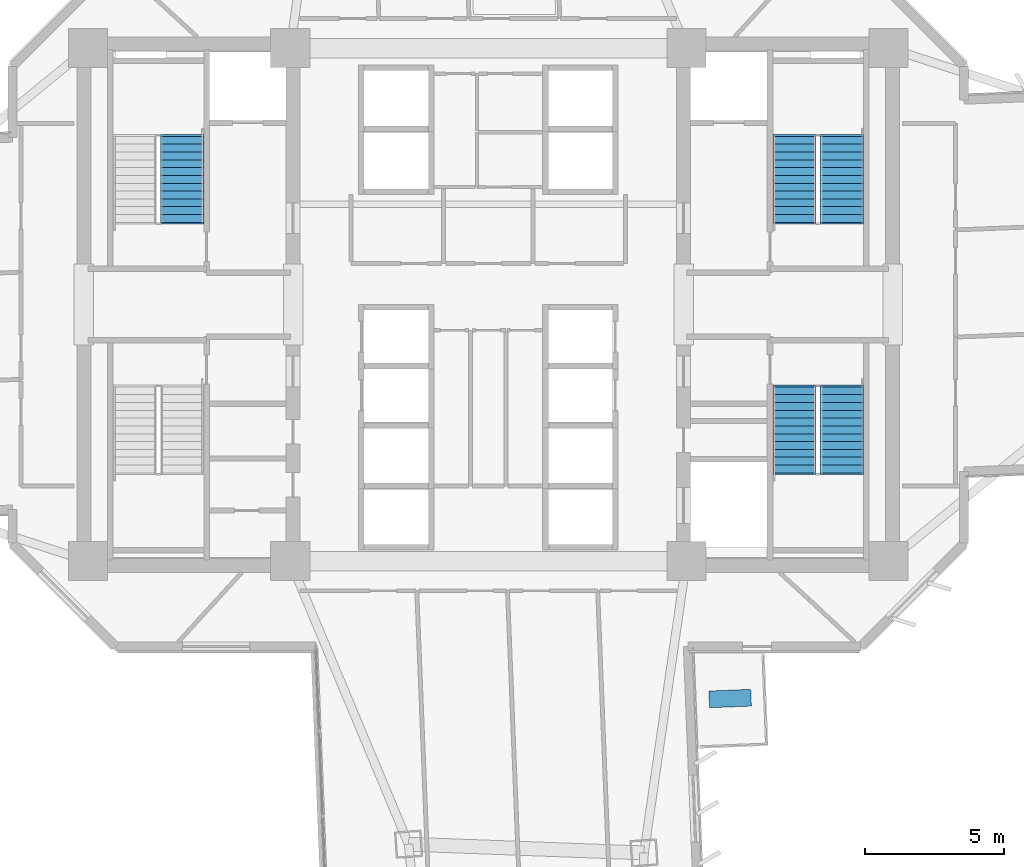
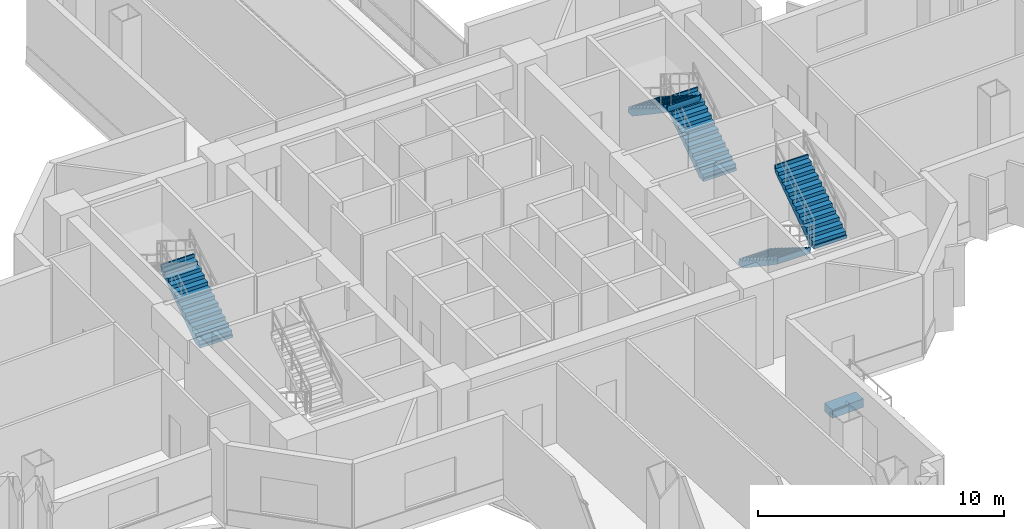
# One storey, part 11 of 16: 5 stair flights, 1 discrete accessory, 3 elements without a shape of their own.
"""IFC4 building model written with IfcOpenShell, lengths in metres."""

from ifc_helpers import new_model, si_unit, direction, frame, origin, origin_2d, place, context, subcontext, project, spatial, polyline, rectangle, outline, extrude, source, transform, mapped, material, type_object, element, aggregate, save


model = new_model("IFC4")

# Units and contexts
model_context = context("Model", 3, precision=1e-05, world=origin(), true_north=direction((0.0, 1.0)))
body_context = subcontext(model_context, "Body", "Model", "MODEL_VIEW")
ifc_project = project(units=[si_unit("LENGTHUNIT", "METRE"), si_unit("AREAUNIT", "SQUARE_METRE"), si_unit("VOLUMEUNIT", "CUBIC_METRE"), si_unit("PLANEANGLEUNIT", "RADIAN"), si_unit("MASSUNIT", "GRAM", prefix="KILO")], contexts=[model_context])

# Site, building, storey
site_placement = place(None, origin())
site = spatial("IfcSite", under=ifc_project, at=site_placement, CompositionType="ELEMENT")
building_placement = place(site_placement, origin())
building = spatial("IfcBuilding", under=site, at=building_placement, Name="Zahravan Cultural Tower", CompositionType="ELEMENT")
storey_placement = place(building_placement, frame((0.0, 0.0, 62.699951171875)))
storey = spatial("IfcBuildingStorey", under=building, at=storey_placement, Name="L13", CompositionType="ELEMENT", Elevation=62.699951171875)

# Stair, stair flight
ifc_material_1 = material(Name="Concrete C45/55", Category="concrete")
stair_type = type_object("IfcStairType", Name="STR-DL-1550-420", PredefinedType="HALF_TURN_STAIR", material=ifc_material_1)
stair_1_placement = place(storey_placement, origin())
stair_1 = element("IfcStair", 1, at=stair_1_placement, inside=storey, type_object=stair_type, Name="L13 West Core North Exit Stair ST-W1", PredefinedType="HALF_TURN_STAIR")
stair_flight_type = type_object("IfcStairFlightType", Name="FLG-DL-1550-420", PredefinedType="STRAIGHT", material=ifc_material_1)
stair_flight_1_placement = place(storey_placement, frame((25.02490234375, 29.949951171875, 0.0), z_axis=(0.0, 0.0, 1.0), x_axis=(0.0, 1.0, 0.0)))
stair_flight_1 = element("IfcStairFlight", 2, at=stair_flight_1_placement, type_object=stair_flight_type, Name="ST-W1 flight 1", NumberOfRisers=12, NumberOfTreads=11, PredefinedType="STRAIGHT", RiserHeight=0.175, TreadLength=0.28, context=body_context, shape_type="SweptSolid", body=[
    extrude(outline(polyline([(-0.06494140625, -0.139892578125), (-0.06494140625, 0.0), (0.0, 0.0), (0.0, 0.175048828125), (0.280029296875, 0.175048828125), (0.280029296875, 0.35009765625), (0.56005859375, 0.35009765625), (0.56005859375, 0.52490234375), (0.840087890625, 0.52490234375), (0.840087890625, 0.699951171875), (1.1201171875, 0.699951171875), (1.1201171875, 0.875), (1.39990234375, 0.875), (1.39990234375, 1.050048828125), (1.679931640625, 1.050048828125), (1.679931640625, 1.22509765625), (1.9599609375, 1.22509765625), (1.9599609375, 1.39990234375), (2.239990234375, 1.39990234375), (2.239990234375, 1.574951171875), (2.52001953125, 1.574951171875), (2.52001953125, 1.75), (2.800048828125, 1.75), (2.800048828125, 1.925048828125), (3.080078125, 1.925048828125), (3.080078125, 2.10009765625), (3.14501953125, 2.10009765625), (3.14501953125, 1.9501953125), (3.080078125, 1.748291015625), (0.28271484375, -0.139892578125), (-0.06494140625, -0.139892578125)])), frame((0.0, 0.77490234375, 0.0), z_axis=(0.0, -1.0, 0.0), x_axis=(1.0, 0.0, 0.0)), (0.0, 0.0, 1.0), 1.550048828125),
])
aggregate(stair_1, [stair_flight_1])

# Stair, stair flights
stair_2_placement = place(storey_placement, origin())
stair_2 = element("IfcStair", 3, at=stair_2_placement, inside=storey, type_object=stair_type, Name="L13 East Core North Exit Stair ST-E1", PredefinedType="HALF_TURN_STAIR")
stair_flight_2_placement = place(storey_placement, frame((48.675048828125, 29.949951171875, 0.0), z_axis=(0.0, 0.0, 1.0), x_axis=(0.0, 1.0, 0.0)))
stair_flight_2 = element("IfcStairFlight", 4, at=stair_flight_2_placement, type_object=stair_flight_type, Name="ST-E1 flight 1", NumberOfRisers=12, NumberOfTreads=11, PredefinedType="STRAIGHT", RiserHeight=0.175, TreadLength=0.28, context=body_context, shape_type="SweptSolid", body=[
    extrude(outline(polyline([(-0.06494140625, -0.139892578125), (-0.06494140625, 0.0), (0.0, 0.0), (0.0, 0.175048828125), (0.280029296875, 0.175048828125), (0.280029296875, 0.35009765625), (0.56005859375, 0.35009765625), (0.56005859375, 0.52490234375), (0.840087890625, 0.52490234375), (0.840087890625, 0.699951171875), (1.1201171875, 0.699951171875), (1.1201171875, 0.875), (1.39990234375, 0.875), (1.39990234375, 1.050048828125), (1.679931640625, 1.050048828125), (1.679931640625, 1.22509765625), (1.9599609375, 1.22509765625), (1.9599609375, 1.39990234375), (2.239990234375, 1.39990234375), (2.239990234375, 1.574951171875), (2.52001953125, 1.574951171875), (2.52001953125, 1.75), (2.800048828125, 1.75), (2.800048828125, 1.925048828125), (3.080078125, 1.925048828125), (3.080078125, 2.10009765625), (3.14501953125, 2.10009765625), (3.14501953125, 1.9501953125), (3.080078125, 1.748291015625), (0.28271484375, -0.139892578125), (-0.06494140625, -0.139892578125)])), frame((0.0, 0.77490234375, 0.0), z_axis=(0.0, -1.0, 0.0), x_axis=(1.0, 0.0, 0.0)), (0.0, 0.0, 1.0), 1.550048828125),
])
stair_flight_3_placement = place(storey_placement, frame((46.97509765625, 33.030029296875, 2.10009765625), z_axis=(0.0, 0.0, 1.0), x_axis=(0.0, -1.0, 0.0)))
stair_flight_3 = element("IfcStairFlight", 5, at=stair_flight_3_placement, type_object=stair_flight_type, Name="ST-E1 flight 2", NumberOfRisers=12, NumberOfTreads=11, PredefinedType="STRAIGHT", RiserHeight=0.175, TreadLength=0.28, context=body_context, shape_type="SweptSolid", body=[
    extrude(outline(polyline([(-0.06494140625, -0.139892578125), (-0.06494140625, 0.0), (0.0, 0.0), (0.0, 0.175048828125), (0.280029296875, 0.175048828125), (0.280029296875, 0.35009765625), (0.56005859375, 0.35009765625), (0.56005859375, 0.52490234375), (0.840087890625, 0.52490234375), (0.840087890625, 0.699951171875), (1.1201171875, 0.699951171875), (1.1201171875, 0.875), (1.39990234375, 0.875), (1.39990234375, 1.050048828125), (1.679931640625, 1.050048828125), (1.679931640625, 1.22509765625), (1.9599609375, 1.22509765625), (1.9599609375, 1.39990234375), (2.239990234375, 1.39990234375), (2.239990234375, 1.574951171875), (2.52001953125, 1.574951171875), (2.52001953125, 1.75), (2.800048828125, 1.75), (2.800048828125, 1.925048828125), (3.080078125, 1.925048828125), (3.080078125, 2.10009765625), (3.14501953125, 2.10009765625), (3.14501953125, 1.9501953125), (3.080078125, 1.748291015625), (0.28271484375, -0.139892578125), (-0.06494140625, -0.139892578125)])), frame((0.0, 0.77490234375, 0.0), z_axis=(0.0, -1.0, 0.0), x_axis=(1.0, 0.0, 0.0)), (0.0, 0.0, 1.0), 1.550048828125),
])
aggregate(stair_2, [stair_flight_2, stair_flight_3])

stair_3_placement = place(storey_placement, origin())
stair_3 = element("IfcStair", 6, at=stair_3_placement, inside=storey, type_object=stair_type, Name="L13 East Core South Exit Stair ST-E2", PredefinedType="HALF_TURN_STAIR")
stair_flight_4_placement = place(storey_placement, frame((46.97509765625, 24.050048828125, 0.0), z_axis=(0.0, 0.0, 1.0), x_axis=(0.0, -1.0, 0.0)))
stair_flight_4 = element("IfcStairFlight", 7, at=stair_flight_4_placement, type_object=stair_flight_type, Name="ST-E2 flight 1", NumberOfRisers=12, NumberOfTreads=11, PredefinedType="STRAIGHT", RiserHeight=0.175, TreadLength=0.28, context=body_context, shape_type="SweptSolid", body=[
    extrude(outline(polyline([(-0.06494140625, -0.139892578125), (-0.06494140625, 0.0), (0.0, 0.0), (0.0, 0.175048828125), (0.280029296875, 0.175048828125), (0.280029296875, 0.35009765625), (0.56005859375, 0.35009765625), (0.56005859375, 0.52490234375), (0.840087890625, 0.52490234375), (0.840087890625, 0.699951171875), (1.1201171875, 0.699951171875), (1.1201171875, 0.875), (1.39990234375, 0.875), (1.39990234375, 1.050048828125), (1.679931640625, 1.050048828125), (1.679931640625, 1.22509765625), (1.9599609375, 1.22509765625), (1.9599609375, 1.39990234375), (2.239990234375, 1.39990234375), (2.239990234375, 1.574951171875), (2.52001953125, 1.574951171875), (2.52001953125, 1.75), (2.800048828125, 1.75), (2.800048828125, 1.925048828125), (3.080078125, 1.925048828125), (3.080078125, 2.10009765625), (3.14501953125, 2.10009765625), (3.14501953125, 1.9501953125), (3.080078125, 1.748291015625), (0.28271484375, -0.139892578125), (-0.06494140625, -0.139892578125)])), frame((0.0, 0.77490234375, 0.0), z_axis=(0.0, -1.0, 0.0), x_axis=(1.0, 0.0, 0.0)), (0.0, 0.0, 1.0), 1.550048828125),
])
stair_flight_5_placement = place(storey_placement, frame((48.675048828125, 20.969970703125, 2.10009765625), z_axis=(0.0, 0.0, 1.0), x_axis=(0.0, 1.0, 0.0)))
stair_flight_5 = element("IfcStairFlight", 8, at=stair_flight_5_placement, type_object=stair_flight_type, Name="ST-E2 flight 2", NumberOfRisers=12, NumberOfTreads=11, PredefinedType="STRAIGHT", RiserHeight=0.175, TreadLength=0.28, context=body_context, shape_type="SweptSolid", body=[
    extrude(outline(polyline([(-0.06494140625, -0.139892578125), (-0.06494140625, 0.0), (0.0, 0.0), (0.0, 0.175048828125), (0.280029296875, 0.175048828125), (0.280029296875, 0.35009765625), (0.56005859375, 0.35009765625), (0.56005859375, 0.52490234375), (0.840087890625, 0.52490234375), (0.840087890625, 0.699951171875), (1.1201171875, 0.699951171875), (1.1201171875, 0.875), (1.39990234375, 0.875), (1.39990234375, 1.050048828125), (1.679931640625, 1.050048828125), (1.679931640625, 1.22509765625), (1.9599609375, 1.22509765625), (1.9599609375, 1.39990234375), (2.239990234375, 1.39990234375), (2.239990234375, 1.574951171875), (2.52001953125, 1.574951171875), (2.52001953125, 1.75), (2.800048828125, 1.75), (2.800048828125, 1.925048828125), (3.080078125, 1.925048828125), (3.080078125, 2.10009765625), (3.14501953125, 2.10009765625), (3.14501953125, 1.9501953125), (3.080078125, 1.748291015625), (0.28271484375, -0.139892578125), (-0.06494140625, -0.139892578125)])), frame((0.0, 0.77490234375, 0.0), z_axis=(0.0, -1.0, 0.0), x_axis=(1.0, 0.0, 0.0)), (0.0, 0.0, 1.0), 1.550048828125),
])
aggregate(stair_3, [stair_flight_4, stair_flight_5])

# Discrete accessory
ifc_material_2 = material(Name="Planted soil and terracotta planter", Category="masonry")
discrete_accessory_type = type_object("IfcDiscreteAccessoryType", Name="ACC-PLANTER-TC", PredefinedType="USERDEFINED", material=ifc_material_2)
shared_shape = source(origin(), body_context, "Body", "SweptSolid", [
    extrude(rectangle(XDim=1.5, YDim=0.60009765625, at=origin_2d()), origin(), (0.0, 0.0, 1.0), 0.419921875),
])
discrete_accessory_placement = place(storey_placement, frame((44.671142578125, 12.875732421875, 0.0), z_axis=(0.0, 0.0, 1.0), x_axis=(0.999208342878, 0.039783005453, 0.0)))
element("IfcDiscreteAccessory", 9, at=discrete_accessory_placement, inside=storey, type_object=discrete_accessory_type, Name="L13 Terracotta Sculpture Planter SE", ObjectType="PLANTER", PredefinedType="USERDEFINED", context=body_context, shape_type="MappedRepresentation", body=[
    mapped(shared_shape, transform((0.0, 0.0, 0.0), x_axis=(1.0, 0.0, 0.0), y_axis=(0.0, 1.0, 0.0), z_axis=(0.0, 0.0, 1.0), scale=1.0)),
])

save(model, "model.ifc")
